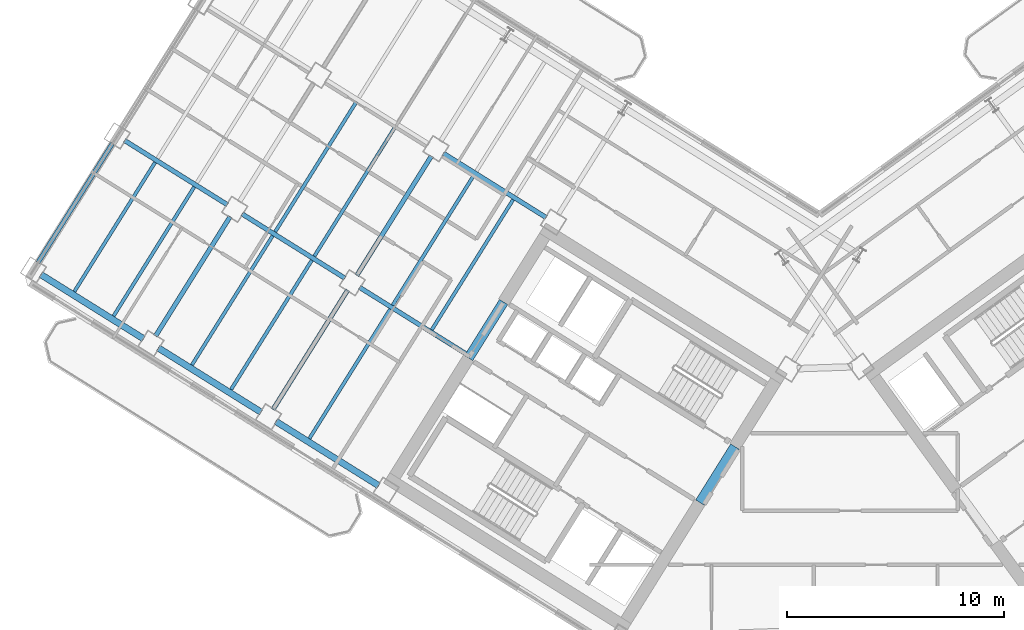
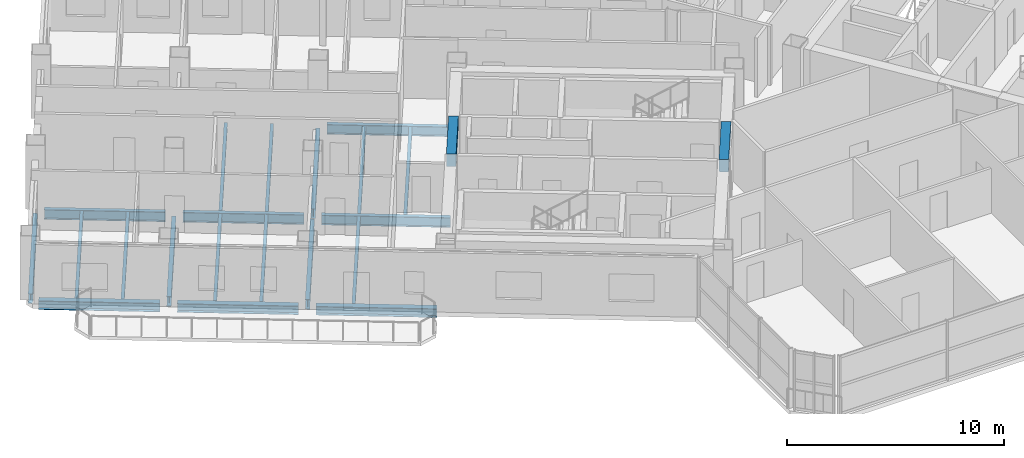
# One storey, part 5 of 21: 22 beams.
"""IFC4 building model written with IfcOpenShell, lengths in metres."""

import ifcopenshell
import ifcopenshell.guid

model = None  # the IFC model being written
_history = None  # IfcOwnerHistory: only IFC2X3 demands one
_inside = {}  # id of a spatial element -> (the spatial element, [elements in it])
_under = {}  # id of a project, library or spatial element -> (it, [spatial elements below it])
_declared = {}  # id of a project -> (the project, [libraries it declares])
_typed = {}  # id of a type object -> (the type object, [elements of that type])
_made_of = {}  # id of a material, layer set ... -> (it, [elements and type objects made of it])


def new_model(schema):
    """Start an empty IFC model of exactly this schema.

    Asked for "IFC4X3", IfcOpenShell would pick the latest addendum, in which some entities
    have other attributes; the version numbers below select the first issue.
    IFC2X3 requires an IfcOwnerHistory on every rooted entity: one is made here for all.
    """
    global model, _history
    if schema == "IFC4X3":
        model = ifcopenshell.file(schema_version=(4, 3, 0, 0))
    else:
        model = ifcopenshell.file(schema=schema)
    _inside.clear()
    _under.clear()
    _declared.clear()
    _typed.clear()
    _made_of.clear()
    _history = None
    if model.schema == "IFC2X3":
        org = make("IfcOrganization", Name="unknown")
        user = make(
            "IfcPersonAndOrganization",
            ThePerson=make("IfcPerson", FamilyName="unknown"),
            TheOrganization=org,
        )
        app = make(
            "IfcApplication",
            ApplicationDeveloper=org,
            Version="unknown",
            ApplicationFullName="unknown",
            ApplicationIdentifier="unknown",
        )
        _history = make(
            "IfcOwnerHistory",
            OwningUser=user,
            OwningApplication=app,
            ChangeAction="ADDED",
            CreationDate=0,
        )
    return model


def make(cls, **values):
    """One entity of the class cls with the attributes given. An attribute that is None is left unset."""
    return model.create_entity(
        cls, **{name: value for name, value in values.items() if value is not None}
    )


def rooted(cls, **values):
    """An entity with a GlobalId (a new one), such as an element, a storey or a relation."""
    return make(cls, GlobalId=ifcopenshell.guid.new(), OwnerHistory=_history, **values)


def si_unit(unit_type, name, prefix=None):
    """IfcSIUnit, for example si_unit("LENGTHUNIT", "METRE", prefix="MILLI")."""
    return make("IfcSIUnit", UnitType=unit_type, Prefix=prefix, Name=name)


def assignment(units):
    """IfcUnitAssignment: the units of a project."""
    return None if units is None else make("IfcUnitAssignment", Units=units)


def point(xyz):
    """IfcCartesianPoint."""
    return None if xyz is None else make("IfcCartesianPoint", Coordinates=xyz)


def direction(xyz):
    """IfcDirection."""
    return None if xyz is None else make("IfcDirection", DirectionRatios=xyz)


def frame(location, z_axis=None, x_axis=None):
    """IfcAxis2Placement3D, a coordinate frame: its origin and axes. An axis left out is left unset."""
    return make(
        "IfcAxis2Placement3D",
        Location=point(location),
        Axis=direction(z_axis),
        RefDirection=direction(x_axis),
    )


def frame_2d(location, x_axis=None):
    """IfcAxis2Placement2D, a coordinate frame in the plane: its origin and x axis."""
    return make(
        "IfcAxis2Placement2D", Location=point(location), RefDirection=direction(x_axis)
    )


def origin():
    """The frame at (0, 0, 0) with its axes left unset."""
    return frame((0.0, 0.0, 0.0))


def origin_2d():
    """The frame at (0, 0) in the plane with its x axis left unset."""
    return frame_2d((0.0, 0.0))


def place(relative_to, where):
    """IfcLocalPlacement: puts the frame where relative to a parent placement (None: the world)."""
    return make(
        "IfcLocalPlacement", PlacementRelTo=relative_to, RelativePlacement=where
    )


def context(
    kind, dimensions, precision=None, world=None, true_north=None, identifier=None
):
    """IfcGeometricRepresentationContext, for example the 3D "Model" context."""
    return make(
        "IfcGeometricRepresentationContext",
        ContextIdentifier=identifier,
        ContextType=kind,
        CoordinateSpaceDimension=dimensions,
        Precision=precision,
        WorldCoordinateSystem=world,
        TrueNorth=true_north,
    )


def subcontext(parent, identifier, kind, view, scale=None):
    """IfcGeometricRepresentationSubContext, for example "Body" below "Model"."""
    return make(
        "IfcGeometricRepresentationSubContext",
        ContextIdentifier=identifier,
        ContextType=kind,
        ParentContext=parent,
        TargetScale=scale,
        TargetView=view,
    )


def project(units=None, contexts=None):
    """IfcProject with its units and contexts."""
    return rooted(
        "IfcProject",
        Name="project",
        RepresentationContexts=contexts,
        UnitsInContext=assignment(units),
    )


def spatial(cls, under=None, at=None, **own):
    """A site, building, storey or space (cls), placed at a placement, below another one or the project."""
    s = rooted(cls, ObjectPlacement=at, **own)
    if under is not None:
        _under.setdefault(under.id(), (under, []))[1].append(s)
    return s


def profile(cls, at=None, kind="AREA", **sizes):
    """A parametric profile (cls). Its sizes go by their IFC names, for example OverallWidth=200.0."""
    return make(cls, ProfileType=kind, Position=at, **sizes)


def rectangle(**sizes):
    """IfcRectangleProfileDef."""
    return profile("IfcRectangleProfileDef", **sizes)


def i_section(**sizes):
    """IfcIShapeProfileDef."""
    return profile("IfcIShapeProfileDef", **sizes)


def extrude(swept, where, along, depth):
    """IfcExtrudedAreaSolid: the profile swept, set in the frame where, extruded along a direction by depth."""
    return make(
        "IfcExtrudedAreaSolid",
        SweptArea=swept,
        Position=where,
        ExtrudedDirection=direction(along),
        Depth=depth,
    )


def shape(context_of_items, identifier, shape_type, items):
    """IfcShapeRepresentation: the items that make up one representation, for example the "Body"."""
    return make(
        "IfcShapeRepresentation",
        ContextOfItems=context_of_items,
        RepresentationIdentifier=identifier,
        RepresentationType=shape_type,
        Items=items,
    )


def source(mapping_origin, context_of_items, identifier, shape_type, items):
    """IfcRepresentationMap: a shape defined once, which mapped items show again and again."""
    return make(
        "IfcRepresentationMap",
        MappingOrigin=mapping_origin,
        MappedRepresentation=shape(context_of_items, identifier, shape_type, items),
    )


def transform(
    local_origin,
    x_axis=None,
    y_axis=None,
    z_axis=None,
    scale=None,
    scale2=None,
    scale3=None,
    uniform=True,
):
    """IfcCartesianTransformationOperator3D, or its non-uniform kind. x_axis, y_axis, z_axis: its Axis1, 2, 3."""
    if uniform:
        return make(
            "IfcCartesianTransformationOperator3D",
            Axis1=direction(x_axis),
            Axis2=direction(y_axis),
            LocalOrigin=point(local_origin),
            Scale=scale,
            Axis3=direction(z_axis),
        )
    return make(
        "IfcCartesianTransformationOperator3DnonUniform",
        Axis1=direction(x_axis),
        Axis2=direction(y_axis),
        LocalOrigin=point(local_origin),
        Scale=scale,
        Axis3=direction(z_axis),
        Scale2=scale2,
        Scale3=scale3,
    )


def mapped(mapping_source, mapping_target):
    """IfcMappedItem: shows the shape of a source again, moved by a transform."""
    return make(
        "IfcMappedItem", MappingSource=mapping_source, MappingTarget=mapping_target
    )


def material(Name=None, Category=None):
    """IfcMaterial."""
    return make("IfcMaterial", Name=Name, Category=Category)


def material_profile(
    of_material, cross_section, Name=None, Category=None, Priority=None
):
    """IfcMaterialProfile: a cross section and its material."""
    return make(
        "IfcMaterialProfile",
        Name=Name,
        Material=of_material,
        Profile=cross_section,
        Priority=Priority,
        Category=Category,
    )


def profile_set(profiles, Name=None, composite=None):
    """IfcMaterialProfileSet."""
    return make(
        "IfcMaterialProfileSet",
        Name=Name,
        MaterialProfiles=profiles,
        CompositeProfile=composite,
    )


def made_of(thing, what):
    """Note that an element or type object is made of a material, layer set ...; save() writes the relation."""
    if what is not None:
        _made_of.setdefault(what.id(), (what, []))[1].append(thing)
    return thing


def type_object(cls, material=None, **own):
    """A type object (cls), such as IfcWallType, which elements share."""
    return made_of(rooted(cls, **own), material)


def element(
    cls,
    number,
    at=None,
    inside=None,
    cuts=None,
    type_object=None,
    material=None,
    context=None,
    identifier="Body",
    shape_type=None,
    held_by="IfcProductDefinitionShape",
    body=None,
    shapes=None,
    **own,
):
    """One element of the class cls, such as IfcWall. Its Tag is "e" and its number.

    at: its placement. inside: the storey or other place that contains it. cuts: it is an
    opening in that element (IfcRelVoidsElement). A single representation is given by context,
    identifier, shape_type and body (its items); several are given by shapes. held_by: the class
    of the entity that holds the representations. save() writes the other relations.
    """
    e = rooted(cls, Tag="e%d" % number, ObjectPlacement=at, **own)
    if body is not None:
        shapes = [shape(context, identifier, shape_type, body)]
    if shapes is not None:
        e.Representation = make(held_by, Representations=shapes)
    if inside is not None:
        _inside.setdefault(inside.id(), (inside, []))[1].append(e)
    if cuts is not None:
        rooted(
            "IfcRelVoidsElement", RelatingBuildingElement=cuts, RelatedOpeningElement=e
        )
    if type_object is not None:
        _typed.setdefault(type_object.id(), (type_object, []))[1].append(e)
    return made_of(e, material)


def aggregate(whole, parts):
    """IfcRelAggregates: a whole, such as a stair, and the parts it consists of."""
    return rooted("IfcRelAggregates", RelatingObject=whole, RelatedObjects=parts)


def save(model, path):
    """Write the relations noted so far, then the file.

    IfcRelAggregates (storeys below a building ...), IfcRelContainedInSpatialStructure (elements
    in a storey), IfcRelDefinesByType, IfcRelAssociatesMaterial and IfcRelDeclares: one each for
    every whole, place, type object, material and project.
    """
    for whole, parts in _under.values():
        aggregate(whole, parts)
    for where, things in _inside.values():
        rooted(
            "IfcRelContainedInSpatialStructure",
            RelatedElements=things,
            RelatingStructure=where,
        )
    for kind, things in _typed.values():
        rooted("IfcRelDefinesByType", RelatedObjects=things, RelatingType=kind)
    for what, things in _made_of.values():
        rooted("IfcRelAssociatesMaterial", RelatedObjects=things, RelatingMaterial=what)
    for by, libraries in _declared.values():
        rooted("IfcRelDeclares", RelatingContext=by, RelatedDefinitions=libraries)
    model.write(path)


model = new_model("IFC4")

# Units and contexts
model_context = context("Model", 3, precision=1e-05, world=origin(), true_north=direction((0.0, 1.0)))
body_context = subcontext(model_context, "Body", "Model", "MODEL_VIEW")
ifc_project = project(units=[si_unit("LENGTHUNIT", "METRE"), si_unit("AREAUNIT", "SQUARE_METRE"), si_unit("VOLUMEUNIT", "CUBIC_METRE"), si_unit("PLANEANGLEUNIT", "RADIAN"), si_unit("MASSUNIT", "GRAM", prefix="KILO")], contexts=[model_context])

# Site, building, storey
site_placement = place(None, origin())
site = spatial("IfcSite", under=ifc_project, at=site_placement, CompositionType="ELEMENT")
building_placement = place(site_placement, origin())
building = spatial("IfcBuilding", under=site, at=building_placement, Name="Tlacorven Tower", CompositionType="ELEMENT")
storey_placement = place(building_placement, frame((0.0, 0.0, 119.699951171875)))
storey = spatial("IfcBuildingStorey", under=building, at=storey_placement, Name="L30", CompositionType="ELEMENT", Elevation=119.699951171875)

# Beams
ifc_material_1 = material(Name="Concrete C60/75", Category="concrete")
ifc_material_profile_1 = material_profile(ifc_material_1, rectangle(XDim=0.449951171875, YDim=0.699951171875, at=origin_2d()), Name="RC 450X700")
ifc_profile_set_1 = profile_set([ifc_material_profile_1], Name="Concrete C60/75")
beam_type_1 = type_object("IfcBeamType", Name="BM-LNT-700", PredefinedType="LINTEL", material=ifc_profile_set_1)
shared_shape_1 = source(origin(), body_context, "Body", "SweptSolid", [
    extrude(rectangle(XDim=0.449951171875, YDim=0.699951171875, at=origin_2d()), origin(), (0.0, 0.0, 1.0), 3.050048828125),
])
beam_1_placement = place(storey_placement, frame((38.2998046875, 20.890625, 3.0), z_axis=(-0.529984549635, -0.848007297815, 0.0), x_axis=(0.848007297815, -0.529984549635, 0.0)))
element("IfcBeam", 1, at=beam_1_placement, inside=storey, type_object=beam_type_1, Name="L30 W core coupling lintel beam E1", PredefinedType="LINTEL", context=body_context, shape_type="MappedRepresentation", body=[
    mapped(shared_shape_1, transform((0.0, 0.0, 0.0), scale=1.0)),
])
shared_shape_2 = source(origin(), body_context, "Body", "SweptSolid", [
    extrude(rectangle(XDim=0.449951171875, YDim=0.699951171875, at=origin_2d()), origin(), (0.0, 0.0, 1.0), 3.0498046875),
])
beam_2_placement = place(storey_placement, frame((27.622802734375, 27.562255859375, 3.0), z_axis=(-0.529926983584, -0.848043272522, 0.0), x_axis=(0.848043272522, -0.529926983584, 0.0)))
element("IfcBeam", 2, at=beam_2_placement, inside=storey, type_object=beam_type_1, Name="L30 W core coupling lintel beam E2", PredefinedType="LINTEL", context=body_context, shape_type="MappedRepresentation", body=[
    mapped(shared_shape_2, transform((0.0, 0.0, 0.0), scale=1.0)),
])
ifc_material_2 = material(Name="Steel S355J2", Category="steel")
ifc_material_profile_2 = material_profile(ifc_material_2, i_section(OverallWidth=0.2099609375, OverallDepth=0.550048828125, WebThickness=0.010986328125, FlangeThickness=0.01708984375, at=origin_2d()), Name="IPE 550")
ifc_profile_set_2 = profile_set([ifc_material_profile_2], Name="Steel S355J2")
beam_type_2 = type_object("IfcBeamType", Name="BM-TWR-550", PredefinedType="BEAM", material=ifc_profile_set_2)
shared_shape_3 = source(origin(), body_context, "Body", "SweptSolid", [
    extrude(i_section(OverallWidth=0.2099609375, OverallDepth=0.550048828125, WebThickness=0.010986328125, FlangeThickness=0.01708984375, at=origin_2d()), origin(), (0.0, 0.0, 1.0), 5.599853515625),
])
for number, where, z_axis, x_axis, name in (
    (3, (29.588623046875, 31.46337890625, -0.52490234375), (-0.848047285686, 0.529920561254, 0.0), (-0.529920561254, -0.848047285686, 0.0), "L30 beam BM-L30-WL2-3"),
    (4, (20.292724609375, 28.6640625, -0.52490234375), (-0.848047285686, 0.529920561254, 0.0), (-0.529920561254, -0.848047285686, 0.0), "L30 beam BM-L30-WL3-4"),
):
    element("IfcBeam", number, at=place(storey_placement, frame(where, z_axis=z_axis, x_axis=x_axis)), inside=storey, type_object=beam_type_2, Name=name, PredefinedType="BEAM", context=body_context, shape_type="MappedRepresentation", body=[
        mapped(shared_shape_3, transform((0.0, 0.0, 0.0), scale=1.0)),
    ])
shared_shape_4 = source(origin(), body_context, "Body", "SweptSolid", [
    extrude(i_section(OverallWidth=0.2099609375, OverallDepth=0.550048828125, WebThickness=0.010986328125, FlangeThickness=0.01708984375, at=origin_2d()), origin(), (0.0, 0.0, 1.0), 5.960205078125),
])
beam_3_placement = place(storey_placement, frame((26.025634765625, 25.081787109375, -0.52490234375), z_axis=(-0.848042024898, 0.529928980153, 0.0), x_axis=(-0.529928980153, -0.848042024898, 0.0)))
element("IfcBeam", 5, at=beam_3_placement, inside=storey, type_object=beam_type_2, Name="L30 beam BM-L30-WL3-3", PredefinedType="BEAM", context=body_context, shape_type="MappedRepresentation", body=[
    mapped(shared_shape_4, transform((0.0, 0.0, 0.0), scale=1.0)),
])
shared_shape_5 = source(origin(), body_context, "Body", "SweptSolid", [
    extrude(i_section(OverallWidth=0.2099609375, OverallDepth=0.550048828125, WebThickness=0.010986328125, FlangeThickness=0.01708984375, at=origin_2d()), origin(), (0.0, 0.0, 1.0), 5.60009765625),
])
beam_4_placement = place(storey_placement, frame((14.865234375, 32.055419921875, -0.52490234375), z_axis=(-0.848027693204, 0.529951914384, 0.0), x_axis=(-0.529951914384, -0.848027693204, 0.0)))
element("IfcBeam", 6, at=beam_4_placement, inside=storey, type_object=beam_type_2, Name="L30 beam BM-L30-WL3-5", PredefinedType="BEAM", context=body_context, shape_type="MappedRepresentation", body=[
    mapped(shared_shape_5, transform((0.0, 0.0, 0.0), scale=1.0)),
])
ifc_material_profile_3 = material_profile(ifc_material_2, i_section(OverallWidth=0.300048828125, OverallDepth=0.489990234375, WebThickness=0.011962890625, FlangeThickness=0.02294921875, at=origin_2d()), Name="HEA 500")
ifc_profile_set_3 = profile_set([ifc_material_profile_3], Name="Steel S355J2")
beam_type_3 = type_object("IfcBeamType", Name="BM-SPN-500", PredefinedType="SPANDREL", material=ifc_profile_set_3)
shared_shape_6 = source(origin(), body_context, "Body", "SweptSolid", [
    extrude(i_section(OverallWidth=0.300048828125, OverallDepth=0.489990234375, WebThickness=0.011962890625, FlangeThickness=0.02294921875, at=origin_2d()), origin(), (0.0, 0.0, 1.0), 5.599853515625),
])
for number, where, z_axis, x_axis, name in (
    (7, (21.851806640625, 19.081787109375, -0.494873046875), (-0.848047285686, 0.529920561254, 0.0), (-0.529920561254, -0.848047285686, 0.0), "L30 beam BM-L30-WL4-3"),
    (8, (16.42431640625, 22.473388671875, -0.494873046875), (-0.848047285686, 0.529920561254, 0.0), (-0.529920561254, -0.848047285686, 0.0), "L30 beam BM-L30-WL4-4"),
    (9, (10.996826171875, 25.86474609375, -0.494873046875), (-0.848047285686, 0.529920561254, 0.0), (-0.529920561254, -0.848047285686, 0.0), "L30 beam BM-L30-WL4-5"),
):
    element("IfcBeam", number, at=place(storey_placement, frame(where, z_axis=z_axis, x_axis=x_axis)), inside=storey, type_object=beam_type_3, Name=name, PredefinedType="SPANDREL", context=body_context, shape_type="MappedRepresentation", body=[
        mapped(shared_shape_6, transform((0.0, 0.0, 0.0), scale=1.0)),
    ])
shared_shape_7 = source(origin(), body_context, "Body", "SweptSolid", [
    extrude(i_section(OverallWidth=0.2099609375, OverallDepth=0.550048828125, WebThickness=0.010986328125, FlangeThickness=0.01708984375, at=origin_2d()), origin(), (0.0, 0.0, 1.0), 6.500244140625),
])
beam_5_placement = place(storey_placement, frame((24.28857421875, 34.3037109375, -0.52490234375), z_axis=(-0.529921287515, -0.848046831866, 0.0), x_axis=(0.848046831866, -0.529921287515, 0.0)))
element("IfcBeam", 10, at=beam_5_placement, inside=storey, type_object=beam_type_2, Name="L30 beam BM-L30-WT4-2", PredefinedType="BEAM", context=body_context, shape_type="MappedRepresentation", body=[
    mapped(shared_shape_7, transform((0.0, 0.0, 0.0), scale=1.0)),
])
shared_shape_8 = source(origin(), body_context, "Body", "SweptSolid", [
    extrude(i_section(OverallWidth=0.2099609375, OverallDepth=0.550048828125, WebThickness=0.010986328125, FlangeThickness=0.01708984375, at=origin_2d()), origin(), (0.0, 0.0, 1.0), 6.5),
])
for number, where, z_axis, x_axis, name in (
    (11, (20.420166015625, 28.11279296875, -0.52490234375), (-0.529938166933, -0.848036284146, 0.0), (0.848036284146, -0.529938166933, 0.0), "L30 beam BM-L30-WT4-3"),
    (12, (14.992431640625, 31.50439453125, -0.52490234375), (-0.529894274829, -0.848063710757, 0.0), (0.848063710757, -0.529894274829, 0.0), "L30 beam BM-L30-WT5-3"),
):
    element("IfcBeam", number, at=place(storey_placement, frame(where, z_axis=z_axis, x_axis=x_axis)), inside=storey, type_object=beam_type_2, Name=name, PredefinedType="BEAM", context=body_context, shape_type="MappedRepresentation", body=[
        mapped(shared_shape_8, transform((0.0, 0.0, 0.0), scale=1.0)),
    ])
shared_shape_9 = source(origin(), body_context, "Body", "SweptSolid", [
    extrude(i_section(OverallWidth=0.2099609375, OverallDepth=0.550048828125, WebThickness=0.010986328125, FlangeThickness=0.01708984375, at=origin_2d()), origin(), (0.0, 0.0, 1.0), 6.499755859375),
])
beam_6_placement = place(storey_placement, frame((9.56494140625, 34.895751953125, -0.52490234375), z_axis=(-0.529911154058, -0.848053163902, 0.0), x_axis=(0.848053163902, -0.529911154058, 0.0)))
element("IfcBeam", 13, at=beam_6_placement, inside=storey, type_object=beam_type_2, Name="L30 beam BM-L30-WT6-3", PredefinedType="BEAM", context=body_context, shape_type="MappedRepresentation", body=[
    mapped(shared_shape_9, transform((0.0, 0.0, 0.0), scale=1.0)),
])
ifc_material_profile_4 = material_profile(ifc_material_2, i_section(OverallWidth=0.159912109375, OverallDepth=0.330078125, WebThickness=0.007568359375, FlangeThickness=0.011474609375, at=origin_2d()), Name="IPE 330")
ifc_profile_set_4 = profile_set([ifc_material_profile_4], Name="Steel S355J2")
beam_type_4 = type_object("IfcBeamType", Name="BM-JST-330", PredefinedType="JOIST", material=ifc_profile_set_4)
shared_shape_10 = source(origin(), body_context, "Body", "SweptSolid", [
    extrude(i_section(OverallWidth=0.159912109375, OverallDepth=0.330078125, WebThickness=0.007568359375, FlangeThickness=0.011474609375, at=origin_2d()), origin(), (0.0, 0.0, 1.0), 7.080078125),
])
for number, where, z_axis, x_axis, name in (
    (14, (28.060546875, 32.28857421875, -0.4150390625), (-0.529933847046, -0.848038983629, 0.0), (0.848038983629, -0.529933847046, 0.0), "L30 beam BM-L30-WJ3-2-1"),
    (15, (26.251220703125, 33.419189453125, -0.4150390625), (-0.529893550998, -0.848064163027, 0.0), (0.848064163027, -0.529893550998, 0.0), "L30 beam BM-L30-WJ3-2-2"),
    (16, (22.633056640625, 35.679931640625, -0.4150390625), (-0.529933847046, -0.848038983629, 0.0), (0.848038983629, -0.529933847046, 0.0), "L30 beam BM-L30-WJ4-2-1"),
):
    element("IfcBeam", number, at=place(storey_placement, frame(where, z_axis=z_axis, x_axis=x_axis)), inside=storey, type_object=beam_type_4, Name=name, PredefinedType="JOIST", context=body_context, shape_type="MappedRepresentation", body=[
        mapped(shared_shape_10, transform((0.0, 0.0, 0.0), scale=1.0)),
    ])
shared_shape_11 = source(origin(), body_context, "Body", "SweptSolid", [
    extrude(i_section(OverallWidth=0.159912109375, OverallDepth=0.330078125, WebThickness=0.007568359375, FlangeThickness=0.011474609375, at=origin_2d()), origin(), (0.0, 0.0, 1.0), 7.03515625),
])
for number, where, z_axis, x_axis, name in (
    (17, (22.3828125, 27.228271484375, -0.4150390625), (-0.529920952588, -0.848047041153, 0.0), (0.848047041153, -0.529920952588, 0.0), "L30 beam BM-L30-WJ3-3-2"),
    (18, (18.7646484375, 29.4892578125, -0.4150390625), (-0.529920952588, -0.848047041153, 0.0), (0.848047041153, -0.529920952588, 0.0), "L30 beam BM-L30-WJ4-3-1"),
    (19, (16.955322265625, 30.619873046875, -0.4150390625), (-0.529920952588, -0.848047041153, 0.0), (0.848047041153, -0.529920952588, 0.0), "L30 beam BM-L30-WJ4-3-2"),
    (20, (13.337158203125, 32.880859375, -0.4150390625), (-0.529920952588, -0.848047041153, 0.0), (0.848047041153, -0.529920952588, 0.0), "L30 beam BM-L30-WJ5-3-1"),
    (21, (11.52783203125, 34.01123046875, -0.4150390625), (-0.529920952588, -0.848047041153, 0.0), (0.848047041153, -0.529920952588, 0.0), "L30 beam BM-L30-WJ5-3-2"),
):
    element("IfcBeam", number, at=place(storey_placement, frame(where, z_axis=z_axis, x_axis=x_axis)), inside=storey, type_object=beam_type_4, Name=name, PredefinedType="JOIST", context=body_context, shape_type="MappedRepresentation", body=[
        mapped(shared_shape_11, transform((0.0, 0.0, 0.0), scale=1.0)),
    ])
shared_shape_12 = source(origin(), body_context, "Body", "SweptSolid", [
    extrude(i_section(OverallWidth=0.159912109375, OverallDepth=0.330078125, WebThickness=0.007568359375, FlangeThickness=0.011474609375, at=origin_2d()), origin(), (0.0, 0.0, 1.0), 7.079833984375),
])
beam_7_placement = place(storey_placement, frame((20.82373046875, 36.810546875, -0.4150390625), z_axis=(-0.529909047265, -0.848054480341, 0.0), x_axis=(0.848054480341, -0.529909047265, 0.0)))
element("IfcBeam", 22, at=beam_7_placement, inside=storey, type_object=beam_type_4, Name="L30 beam BM-L30-WJ4-2-2", PredefinedType="JOIST", context=body_context, shape_type="MappedRepresentation", body=[
    mapped(shared_shape_12, transform((0.0, 0.0, 0.0), scale=1.0)),
])

save(model, "model.ifc")
